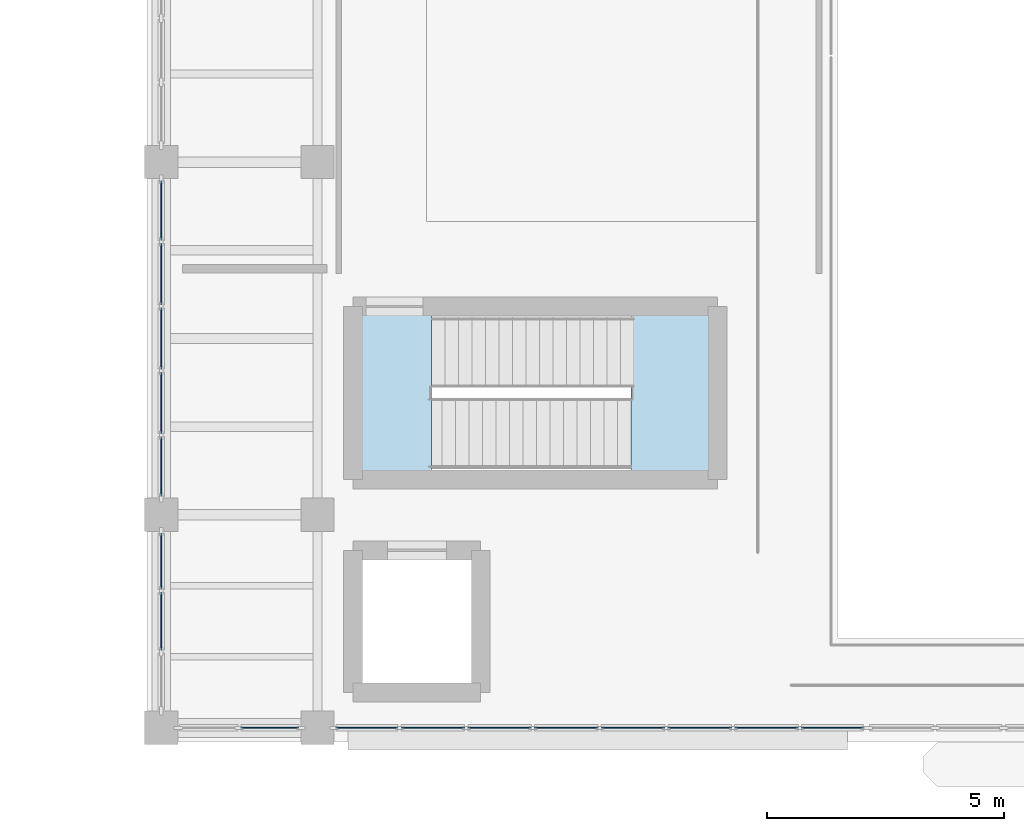
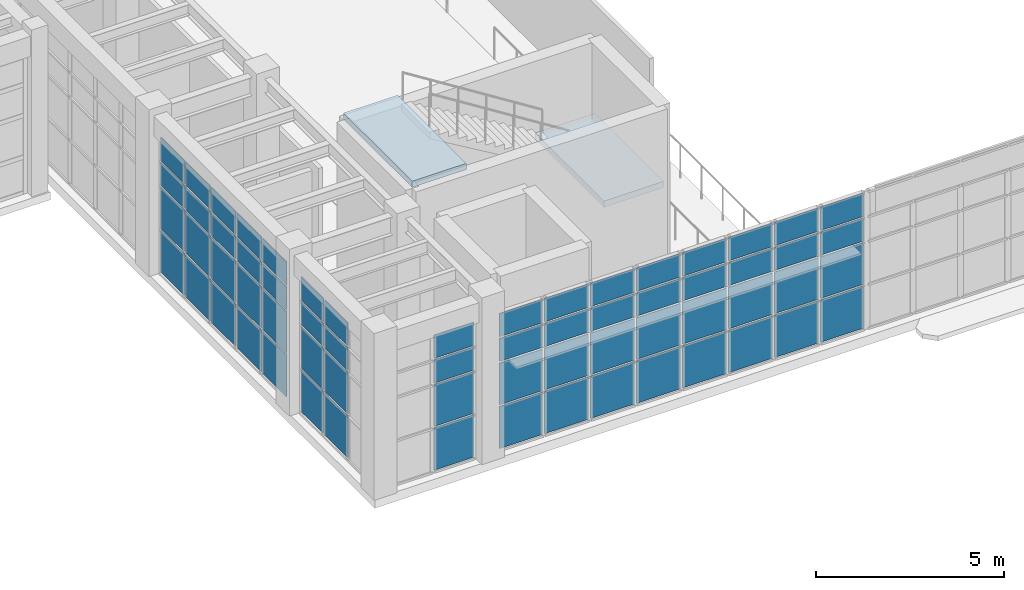
# One storey, part 73 of 103: 64 plates, 2 slabs, 5 elements without a shape of their own.
"""IFC4 building model written with IfcOpenShell, lengths in metres."""

import ifcopenshell
import ifcopenshell.guid

model = None  # the IFC model being written
_history = None  # IfcOwnerHistory: only IFC2X3 demands one
_inside = {}  # id of a spatial element -> (the spatial element, [elements in it])
_under = {}  # id of a project, library or spatial element -> (it, [spatial elements below it])
_declared = {}  # id of a project -> (the project, [libraries it declares])
_typed = {}  # id of a type object -> (the type object, [elements of that type])
_made_of = {}  # id of a material, layer set ... -> (it, [elements and type objects made of it])


def new_model(schema):
    """Start an empty IFC model of exactly this schema.

    Asked for "IFC4X3", IfcOpenShell would pick the latest addendum, in which some entities
    have other attributes; the version numbers below select the first issue.
    IFC2X3 requires an IfcOwnerHistory on every rooted entity: one is made here for all.
    """
    global model, _history
    if schema == "IFC4X3":
        model = ifcopenshell.file(schema_version=(4, 3, 0, 0))
    else:
        model = ifcopenshell.file(schema=schema)
    _inside.clear()
    _under.clear()
    _declared.clear()
    _typed.clear()
    _made_of.clear()
    _history = None
    if model.schema == "IFC2X3":
        org = make("IfcOrganization", Name="unknown")
        user = make(
            "IfcPersonAndOrganization",
            ThePerson=make("IfcPerson", FamilyName="unknown"),
            TheOrganization=org,
        )
        app = make(
            "IfcApplication",
            ApplicationDeveloper=org,
            Version="unknown",
            ApplicationFullName="unknown",
            ApplicationIdentifier="unknown",
        )
        _history = make(
            "IfcOwnerHistory",
            OwningUser=user,
            OwningApplication=app,
            ChangeAction="ADDED",
            CreationDate=0,
        )
    return model


def make(cls, **values):
    """One entity of the class cls with the attributes given. An attribute that is None is left unset."""
    return model.create_entity(
        cls, **{name: value for name, value in values.items() if value is not None}
    )


def rooted(cls, **values):
    """An entity with a GlobalId (a new one), such as an element, a storey or a relation."""
    return make(cls, GlobalId=ifcopenshell.guid.new(), OwnerHistory=_history, **values)


def si_unit(unit_type, name, prefix=None):
    """IfcSIUnit, for example si_unit("LENGTHUNIT", "METRE", prefix="MILLI")."""
    return make("IfcSIUnit", UnitType=unit_type, Prefix=prefix, Name=name)


def assignment(units):
    """IfcUnitAssignment: the units of a project."""
    return None if units is None else make("IfcUnitAssignment", Units=units)


def point(xyz):
    """IfcCartesianPoint."""
    return None if xyz is None else make("IfcCartesianPoint", Coordinates=xyz)


def direction(xyz):
    """IfcDirection."""
    return None if xyz is None else make("IfcDirection", DirectionRatios=xyz)


def frame(location, z_axis=None, x_axis=None):
    """IfcAxis2Placement3D, a coordinate frame: its origin and axes. An axis left out is left unset."""
    return make(
        "IfcAxis2Placement3D",
        Location=point(location),
        Axis=direction(z_axis),
        RefDirection=direction(x_axis),
    )


def frame_2d(location, x_axis=None):
    """IfcAxis2Placement2D, a coordinate frame in the plane: its origin and x axis."""
    return make(
        "IfcAxis2Placement2D", Location=point(location), RefDirection=direction(x_axis)
    )


def origin():
    """The frame at (0, 0, 0) with its axes left unset."""
    return frame((0.0, 0.0, 0.0))


def origin_2d():
    """The frame at (0, 0) in the plane with its x axis left unset."""
    return frame_2d((0.0, 0.0))


def place(relative_to, where):
    """IfcLocalPlacement: puts the frame where relative to a parent placement (None: the world)."""
    return make(
        "IfcLocalPlacement", PlacementRelTo=relative_to, RelativePlacement=where
    )


def context(
    kind, dimensions, precision=None, world=None, true_north=None, identifier=None
):
    """IfcGeometricRepresentationContext, for example the 3D "Model" context."""
    return make(
        "IfcGeometricRepresentationContext",
        ContextIdentifier=identifier,
        ContextType=kind,
        CoordinateSpaceDimension=dimensions,
        Precision=precision,
        WorldCoordinateSystem=world,
        TrueNorth=true_north,
    )


def subcontext(parent, identifier, kind, view, scale=None):
    """IfcGeometricRepresentationSubContext, for example "Body" below "Model"."""
    return make(
        "IfcGeometricRepresentationSubContext",
        ContextIdentifier=identifier,
        ContextType=kind,
        ParentContext=parent,
        TargetScale=scale,
        TargetView=view,
    )


def project(units=None, contexts=None):
    """IfcProject with its units and contexts."""
    return rooted(
        "IfcProject",
        Name="project",
        RepresentationContexts=contexts,
        UnitsInContext=assignment(units),
    )


def spatial(cls, under=None, at=None, **own):
    """A site, building, storey or space (cls), placed at a placement, below another one or the project."""
    s = rooted(cls, ObjectPlacement=at, **own)
    if under is not None:
        _under.setdefault(under.id(), (under, []))[1].append(s)
    return s


def polyline(points):
    """IfcPolyline through the points."""
    return make("IfcPolyline", Points=[point(p) for p in points])


def profile(cls, at=None, kind="AREA", **sizes):
    """A parametric profile (cls). Its sizes go by their IFC names, for example OverallWidth=200.0."""
    return make(cls, ProfileType=kind, Position=at, **sizes)


def rectangle(**sizes):
    """IfcRectangleProfileDef."""
    return profile("IfcRectangleProfileDef", **sizes)


def outline(outer, holes=None, kind="AREA"):
    """IfcArbitraryClosedProfileDef: a profile drawn as a closed curve; with holes, ...WithVoids."""
    if holes is None:
        return make("IfcArbitraryClosedProfileDef", ProfileType=kind, OuterCurve=outer)
    return make(
        "IfcArbitraryProfileDefWithVoids",
        ProfileType=kind,
        OuterCurve=outer,
        InnerCurves=holes,
    )


def extrude(swept, where, along, depth):
    """IfcExtrudedAreaSolid: the profile swept, set in the frame where, extruded along a direction by depth."""
    return make(
        "IfcExtrudedAreaSolid",
        SweptArea=swept,
        Position=where,
        ExtrudedDirection=direction(along),
        Depth=depth,
    )


def shape(context_of_items, identifier, shape_type, items):
    """IfcShapeRepresentation: the items that make up one representation, for example the "Body"."""
    return make(
        "IfcShapeRepresentation",
        ContextOfItems=context_of_items,
        RepresentationIdentifier=identifier,
        RepresentationType=shape_type,
        Items=items,
    )


def material(Name=None, Category=None):
    """IfcMaterial."""
    return make("IfcMaterial", Name=Name, Category=Category)


def layer(
    of_material, thickness, ventilated=None, Name=None, Category=None, Priority=None
):
    """IfcMaterialLayer: one layer of a wall or slab, of a material (None: an air gap)."""
    return make(
        "IfcMaterialLayer",
        Material=of_material,
        LayerThickness=thickness,
        IsVentilated=ventilated,
        Name=Name,
        Category=Category,
        Priority=Priority,
    )


def layer_set(layers, Name=None):
    """IfcMaterialLayerSet."""
    return make("IfcMaterialLayerSet", MaterialLayers=layers, LayerSetName=Name)


def made_of(thing, what):
    """Note that an element or type object is made of a material, layer set ...; save() writes the relation."""
    if what is not None:
        _made_of.setdefault(what.id(), (what, []))[1].append(thing)
    return thing


def type_object(cls, material=None, **own):
    """A type object (cls), such as IfcWallType, which elements share."""
    return made_of(rooted(cls, **own), material)


def element(
    cls,
    number,
    at=None,
    inside=None,
    cuts=None,
    type_object=None,
    material=None,
    context=None,
    identifier="Body",
    shape_type=None,
    held_by="IfcProductDefinitionShape",
    body=None,
    shapes=None,
    **own,
):
    """One element of the class cls, such as IfcWall. Its Tag is "e" and its number.

    at: its placement. inside: the storey or other place that contains it. cuts: it is an
    opening in that element (IfcRelVoidsElement). A single representation is given by context,
    identifier, shape_type and body (its items); several are given by shapes. held_by: the class
    of the entity that holds the representations. save() writes the other relations.
    """
    e = rooted(cls, Tag="e%d" % number, ObjectPlacement=at, **own)
    if body is not None:
        shapes = [shape(context, identifier, shape_type, body)]
    if shapes is not None:
        e.Representation = make(held_by, Representations=shapes)
    if inside is not None:
        _inside.setdefault(inside.id(), (inside, []))[1].append(e)
    if cuts is not None:
        rooted(
            "IfcRelVoidsElement", RelatingBuildingElement=cuts, RelatedOpeningElement=e
        )
    if type_object is not None:
        _typed.setdefault(type_object.id(), (type_object, []))[1].append(e)
    return made_of(e, material)


def aggregate(whole, parts):
    """IfcRelAggregates: a whole, such as a stair, and the parts it consists of."""
    return rooted("IfcRelAggregates", RelatingObject=whole, RelatedObjects=parts)


def save(model, path):
    """Write the relations noted so far, then the file.

    IfcRelAggregates (storeys below a building ...), IfcRelContainedInSpatialStructure (elements
    in a storey), IfcRelDefinesByType, IfcRelAssociatesMaterial and IfcRelDeclares: one each for
    every whole, place, type object, material and project.
    """
    for whole, parts in _under.values():
        aggregate(whole, parts)
    for where, things in _inside.values():
        rooted(
            "IfcRelContainedInSpatialStructure",
            RelatedElements=things,
            RelatingStructure=where,
        )
    for kind, things in _typed.values():
        rooted("IfcRelDefinesByType", RelatedObjects=things, RelatingType=kind)
    for what, things in _made_of.values():
        rooted("IfcRelAssociatesMaterial", RelatedObjects=things, RelatingMaterial=what)
    for by, libraries in _declared.values():
        rooted("IfcRelDeclares", RelatingContext=by, RelatedDefinitions=libraries)
    model.write(path)


model = new_model("IFC4")

# Units and contexts
model_context = context("Model", 3, precision=1e-05, world=origin(), true_north=direction((0.0, 1.0)))
body_context = subcontext(model_context, "Body", "Model", "MODEL_VIEW")
ifc_project = project(units=[si_unit("LENGTHUNIT", "METRE"), si_unit("AREAUNIT", "SQUARE_METRE"), si_unit("VOLUMEUNIT", "CUBIC_METRE"), si_unit("PLANEANGLEUNIT", "RADIAN"), si_unit("MASSUNIT", "GRAM", prefix="KILO")], contexts=[model_context])

# Site, building, storey
site_placement = place(None, origin())
site = spatial("IfcSite", under=ifc_project, at=site_placement, CompositionType="ELEMENT")
building_placement = place(site_placement, origin())
building = spatial("IfcBuilding", under=site, at=building_placement, Name="Candilejo Ridge Gondola Terminal", CompositionType="ELEMENT")
storey_placement = place(building_placement, frame((0.0, 0.0, 9.0)))
storey = spatial("IfcBuildingStorey", under=building, at=storey_placement, Name="L02", CompositionType="ELEMENT", Elevation=9.0)

# Curtain wall, plates
ifc_material_1 = material(Name="Anodised aluminium AA 6063-T6", Category="aluminium")
ifc_layer_1 = layer(ifc_material_1, 0.169921875)
ifc_layer_set_1 = layer_set([ifc_layer_1], Name="ARC-CW-HALL-3800-385X449")
curtain_wall_type_1 = type_object("IfcCurtainWallType", Name="ARC-CW-HALL-3800-385X449", PredefinedType="NOTDEFINED", material=ifc_layer_set_1)
curtain_wall_1_placement = place(storey_placement, origin())
curtain_wall_1 = element("IfcCurtainWall", 1, at=curtain_wall_1_placement, inside=storey, type_object=curtain_wall_type_1, Name="Curtain wall V4 L02-132", PredefinedType="NOTDEFINED")
ifc_material_2 = material(Name="Low-E laminated double glazing 6+12A+6+1.52PVB+6 mm", Category="glass")
ifc_layer_2 = layer(ifc_material_2, 0.028076171875)
ifc_layer_set_2 = layer_set([ifc_layer_2], Name="ARC-CW-GLAZ-PANEL")
plate_type = type_object("IfcPlateType", Name="ARC-CW-GLAZ-PANEL", PredefinedType="CURTAIN_PANEL", material=ifc_layer_set_2)
plate_1_placement = place(storey_placement, frame((133.89990234375, 8.550048828125, 0.06005859375), z_axis=(0.0, 0.0, 1.0), x_axis=(0.0, 1.0, 0.0)))
plate_1 = element("IfcPlate", 2, at=plate_1_placement, type_object=plate_type, Name="CW-38X44 panel 2.1", PredefinedType="CURTAIN_PANEL", context=body_context, shape_type="SweptSolid", body=[
    extrude(rectangle(XDim=1.21826171875, YDim=0.028076171875, at=origin_2d()), origin(), (0.0, 0.0, 1.0), 1.360107421875),
])
plate_2_placement = place(storey_placement, frame((133.89990234375, 8.550048828125, 1.47998046875), z_axis=(0.0, 0.0, 1.0), x_axis=(0.0, 1.0, 0.0)))
plate_2 = element("IfcPlate", 3, at=plate_2_placement, type_object=plate_type, Name="CW-38X44 panel 2.2", PredefinedType="CURTAIN_PANEL", context=body_context, shape_type="SweptSolid", body=[
    extrude(rectangle(XDim=1.21826171875, YDim=0.028076171875, at=origin_2d()), origin(), (0.0, 0.0, 1.0), 1.340087890625),
])
plate_3_placement = place(storey_placement, frame((133.89990234375, 8.550048828125, 2.8798828125), z_axis=(0.0, 0.0, 1.0), x_axis=(0.0, 1.0, 0.0)))
plate_3 = element("IfcPlate", 4, at=plate_3_placement, type_object=plate_type, Name="CW-38X44 panel 2.3", PredefinedType="CURTAIN_PANEL", context=body_context, shape_type="SweptSolid", body=[
    extrude(rectangle(XDim=1.21826171875, YDim=0.028076171875, at=origin_2d()), origin(), (0.0, 0.0, 1.0), 0.739990234375),
])
plate_4_placement = place(storey_placement, frame((133.89990234375, 8.550048828125, 3.679931640625), z_axis=(0.0, 0.0, 1.0), x_axis=(0.0, 1.0, 0.0)))
plate_4 = element("IfcPlate", 5, at=plate_4_placement, type_object=plate_type, Name="CW-38X44 panel 2.4", PredefinedType="CURTAIN_PANEL", context=body_context, shape_type="SweptSolid", body=[
    extrude(rectangle(XDim=1.21826171875, YDim=0.028076171875, at=origin_2d()), origin(), (0.0, 0.0, 1.0), 0.75),
])
plate_5_placement = place(storey_placement, frame((133.89990234375, 9.817138671875, 0.06005859375), z_axis=(0.0, 0.0, 1.0), x_axis=(0.0, 1.0, 0.0)))
plate_5 = element("IfcPlate", 6, at=plate_5_placement, type_object=plate_type, Name="CW-38X44 panel 3.1", PredefinedType="CURTAIN_PANEL", context=body_context, shape_type="SweptSolid", body=[
    extrude(rectangle(XDim=1.185791015625, YDim=0.028076171875, at=origin_2d()), origin(), (0.0, 0.0, 1.0), 1.360107421875),
])
plate_6_placement = place(storey_placement, frame((133.89990234375, 9.817138671875, 1.47998046875), z_axis=(0.0, 0.0, 1.0), x_axis=(0.0, 1.0, 0.0)))
plate_6 = element("IfcPlate", 7, at=plate_6_placement, type_object=plate_type, Name="CW-38X44 panel 3.2", PredefinedType="CURTAIN_PANEL", context=body_context, shape_type="SweptSolid", body=[
    extrude(rectangle(XDim=1.185791015625, YDim=0.028076171875, at=origin_2d()), origin(), (0.0, 0.0, 1.0), 1.340087890625),
])
plate_7_placement = place(storey_placement, frame((133.89990234375, 9.817138671875, 2.8798828125), z_axis=(0.0, 0.0, 1.0), x_axis=(0.0, 1.0, 0.0)))
plate_7 = element("IfcPlate", 8, at=plate_7_placement, type_object=plate_type, Name="CW-38X44 panel 3.3", PredefinedType="CURTAIN_PANEL", context=body_context, shape_type="SweptSolid", body=[
    extrude(rectangle(XDim=1.185791015625, YDim=0.028076171875, at=origin_2d()), origin(), (0.0, 0.0, 1.0), 0.739990234375),
])
plate_8_placement = place(storey_placement, frame((133.89990234375, 9.817138671875, 3.679931640625), z_axis=(0.0, 0.0, 1.0), x_axis=(0.0, 1.0, 0.0)))
plate_8 = element("IfcPlate", 9, at=plate_8_placement, type_object=plate_type, Name="CW-38X44 panel 3.4", PredefinedType="CURTAIN_PANEL", context=body_context, shape_type="SweptSolid", body=[
    extrude(rectangle(XDim=1.185791015625, YDim=0.028076171875, at=origin_2d()), origin(), (0.0, 0.0, 1.0), 0.75),
])
aggregate(curtain_wall_1, [plate_1, plate_2, plate_3, plate_4, plate_5, plate_6, plate_7, plate_8])

ifc_material_3 = material(Name="Anodised aluminium AA 6063-T6", Category="aluminium")
ifc_layer_3 = layer(ifc_material_3, 0.169921875)
ifc_layer_set_3 = layer_set([ifc_layer_3], Name="ARC-CW-HALL-3800-680X449")
curtain_wall_type_2 = type_object("IfcCurtainWallType", Name="ARC-CW-HALL-3800-680X449", PredefinedType="NOTDEFINED", material=ifc_layer_set_3)
curtain_wall_2_placement = place(storey_placement, origin())
curtain_wall_2 = element("IfcCurtainWall", 10, at=curtain_wall_2_placement, inside=storey, type_object=curtain_wall_type_2, Name="Curtain wall V4 L02-134", PredefinedType="NOTDEFINED")
plate_9_placement = place(storey_placement, frame((133.89990234375, 11.8212890625, 0.06005859375), z_axis=(0.0, 0.0, 1.0), x_axis=(0.0, 1.0, 0.0)))
plate_9 = element("IfcPlate", 11, at=plate_9_placement, type_object=plate_type, Name="CW-68X44 panel 1.1", PredefinedType="CURTAIN_PANEL", context=body_context, shape_type="SweptSolid", body=[
    extrude(rectangle(XDim=1.262451171875, YDim=0.028076171875, at=origin_2d()), origin(), (0.0, 0.0, 1.0), 1.360107421875),
])
plate_10_placement = place(storey_placement, frame((133.89990234375, 11.8212890625, 1.47998046875), z_axis=(0.0, 0.0, 1.0), x_axis=(0.0, 1.0, 0.0)))
plate_10 = element("IfcPlate", 12, at=plate_10_placement, type_object=plate_type, Name="CW-68X44 panel 1.2", PredefinedType="CURTAIN_PANEL", context=body_context, shape_type="SweptSolid", body=[
    extrude(rectangle(XDim=1.262451171875, YDim=0.028076171875, at=origin_2d()), origin(), (0.0, 0.0, 1.0), 1.340087890625),
])
plate_11_placement = place(storey_placement, frame((133.89990234375, 11.8212890625, 2.8798828125), z_axis=(0.0, 0.0, 1.0), x_axis=(0.0, 1.0, 0.0)))
plate_11 = element("IfcPlate", 13, at=plate_11_placement, type_object=plate_type, Name="CW-68X44 panel 1.3", PredefinedType="CURTAIN_PANEL", context=body_context, shape_type="SweptSolid", body=[
    extrude(rectangle(XDim=1.262451171875, YDim=0.028076171875, at=origin_2d()), origin(), (0.0, 0.0, 1.0), 0.739990234375),
])
plate_12_placement = place(storey_placement, frame((133.89990234375, 11.8212890625, 3.679931640625), z_axis=(0.0, 0.0, 1.0), x_axis=(0.0, 1.0, 0.0)))
plate_12 = element("IfcPlate", 14, at=plate_12_placement, type_object=plate_type, Name="CW-68X44 panel 1.4", PredefinedType="CURTAIN_PANEL", context=body_context, shape_type="SweptSolid", body=[
    extrude(rectangle(XDim=1.262451171875, YDim=0.028076171875, at=origin_2d()), origin(), (0.0, 0.0, 1.0), 0.75),
])
plate_13_placement = place(storey_placement, frame((133.89990234375, 13.1650390625, 0.06005859375), z_axis=(0.0, 0.0, 1.0), x_axis=(0.0, 1.0, 0.0)))
plate_13 = element("IfcPlate", 15, at=plate_13_placement, type_object=plate_type, Name="CW-68X44 panel 2.1", PredefinedType="CURTAIN_PANEL", context=body_context, shape_type="SweptSolid", body=[
    extrude(rectangle(XDim=1.294921875, YDim=0.028076171875, at=origin_2d()), origin(), (0.0, 0.0, 1.0), 1.360107421875),
])
plate_14_placement = place(storey_placement, frame((133.89990234375, 13.1650390625, 1.47998046875), z_axis=(0.0, 0.0, 1.0), x_axis=(0.0, 1.0, 0.0)))
plate_14 = element("IfcPlate", 16, at=plate_14_placement, type_object=plate_type, Name="CW-68X44 panel 2.2", PredefinedType="CURTAIN_PANEL", context=body_context, shape_type="SweptSolid", body=[
    extrude(rectangle(XDim=1.294921875, YDim=0.028076171875, at=origin_2d()), origin(), (0.0, 0.0, 1.0), 1.340087890625),
])
plate_15_placement = place(storey_placement, frame((133.89990234375, 13.1650390625, 2.8798828125), z_axis=(0.0, 0.0, 1.0), x_axis=(0.0, 1.0, 0.0)))
plate_15 = element("IfcPlate", 17, at=plate_15_placement, type_object=plate_type, Name="CW-68X44 panel 2.3", PredefinedType="CURTAIN_PANEL", context=body_context, shape_type="SweptSolid", body=[
    extrude(rectangle(XDim=1.294921875, YDim=0.028076171875, at=origin_2d()), origin(), (0.0, 0.0, 1.0), 0.739990234375),
])
plate_16_placement = place(storey_placement, frame((133.89990234375, 13.1650390625, 3.679931640625), z_axis=(0.0, 0.0, 1.0), x_axis=(0.0, 1.0, 0.0)))
plate_16 = element("IfcPlate", 18, at=plate_16_placement, type_object=plate_type, Name="CW-68X44 panel 2.4", PredefinedType="CURTAIN_PANEL", context=body_context, shape_type="SweptSolid", body=[
    extrude(rectangle(XDim=1.294921875, YDim=0.028076171875, at=origin_2d()), origin(), (0.0, 0.0, 1.0), 0.75),
])
plate_17_placement = place(storey_placement, frame((133.89990234375, 14.52490234375, 0.06005859375), z_axis=(0.0, 0.0, 1.0), x_axis=(0.0, 1.0, 0.0)))
plate_17 = element("IfcPlate", 19, at=plate_17_placement, type_object=plate_type, Name="CW-68X44 panel 3.1", PredefinedType="CURTAIN_PANEL", context=body_context, shape_type="SweptSolid", body=[
    extrude(rectangle(XDim=1.294921875, YDim=0.028076171875, at=origin_2d()), origin(), (0.0, 0.0, 1.0), 1.360107421875),
])
plate_18_placement = place(storey_placement, frame((133.89990234375, 14.52490234375, 1.47998046875), z_axis=(0.0, 0.0, 1.0), x_axis=(0.0, 1.0, 0.0)))
plate_18 = element("IfcPlate", 20, at=plate_18_placement, type_object=plate_type, Name="CW-68X44 panel 3.2", PredefinedType="CURTAIN_PANEL", context=body_context, shape_type="SweptSolid", body=[
    extrude(rectangle(XDim=1.294921875, YDim=0.028076171875, at=origin_2d()), origin(), (0.0, 0.0, 1.0), 1.340087890625),
])
plate_19_placement = place(storey_placement, frame((133.89990234375, 14.52490234375, 2.8798828125), z_axis=(0.0, 0.0, 1.0), x_axis=(0.0, 1.0, 0.0)))
plate_19 = element("IfcPlate", 21, at=plate_19_placement, type_object=plate_type, Name="CW-68X44 panel 3.3", PredefinedType="CURTAIN_PANEL", context=body_context, shape_type="SweptSolid", body=[
    extrude(rectangle(XDim=1.294921875, YDim=0.028076171875, at=origin_2d()), origin(), (0.0, 0.0, 1.0), 0.739990234375),
])
plate_20_placement = place(storey_placement, frame((133.89990234375, 14.52490234375, 3.679931640625), z_axis=(0.0, 0.0, 1.0), x_axis=(0.0, 1.0, 0.0)))
plate_20 = element("IfcPlate", 22, at=plate_20_placement, type_object=plate_type, Name="CW-68X44 panel 3.4", PredefinedType="CURTAIN_PANEL", context=body_context, shape_type="SweptSolid", body=[
    extrude(rectangle(XDim=1.294921875, YDim=0.028076171875, at=origin_2d()), origin(), (0.0, 0.0, 1.0), 0.75),
])
plate_21_placement = place(storey_placement, frame((133.89990234375, 15.885009765625, 0.06005859375), z_axis=(0.0, 0.0, 1.0), x_axis=(0.0, 1.0, 0.0)))
plate_21 = element("IfcPlate", 23, at=plate_21_placement, type_object=plate_type, Name="CW-68X44 panel 4.1", PredefinedType="CURTAIN_PANEL", context=body_context, shape_type="SweptSolid", body=[
    extrude(rectangle(XDim=1.294921875, YDim=0.028076171875, at=origin_2d()), origin(), (0.0, 0.0, 1.0), 1.360107421875),
])
plate_22_placement = place(storey_placement, frame((133.89990234375, 15.885009765625, 1.47998046875), z_axis=(0.0, 0.0, 1.0), x_axis=(0.0, 1.0, 0.0)))
plate_22 = element("IfcPlate", 24, at=plate_22_placement, type_object=plate_type, Name="CW-68X44 panel 4.2", PredefinedType="CURTAIN_PANEL", context=body_context, shape_type="SweptSolid", body=[
    extrude(rectangle(XDim=1.294921875, YDim=0.028076171875, at=origin_2d()), origin(), (0.0, 0.0, 1.0), 1.340087890625),
])
plate_23_placement = place(storey_placement, frame((133.89990234375, 15.885009765625, 2.8798828125), z_axis=(0.0, 0.0, 1.0), x_axis=(0.0, 1.0, 0.0)))
plate_23 = element("IfcPlate", 25, at=plate_23_placement, type_object=plate_type, Name="CW-68X44 panel 4.3", PredefinedType="CURTAIN_PANEL", context=body_context, shape_type="SweptSolid", body=[
    extrude(rectangle(XDim=1.294921875, YDim=0.028076171875, at=origin_2d()), origin(), (0.0, 0.0, 1.0), 0.739990234375),
])
plate_24_placement = place(storey_placement, frame((133.89990234375, 15.885009765625, 3.679931640625), z_axis=(0.0, 0.0, 1.0), x_axis=(0.0, 1.0, 0.0)))
plate_24 = element("IfcPlate", 26, at=plate_24_placement, type_object=plate_type, Name="CW-68X44 panel 4.4", PredefinedType="CURTAIN_PANEL", context=body_context, shape_type="SweptSolid", body=[
    extrude(rectangle(XDim=1.294921875, YDim=0.028076171875, at=origin_2d()), origin(), (0.0, 0.0, 1.0), 0.75),
])
plate_25_placement = place(storey_placement, frame((133.89990234375, 17.228759765625, 0.06005859375), z_axis=(0.0, 0.0, 1.0), x_axis=(0.0, 1.0, 0.0)))
plate_25 = element("IfcPlate", 27, at=plate_25_placement, type_object=plate_type, Name="CW-68X44 panel 5.1", PredefinedType="CURTAIN_PANEL", context=body_context, shape_type="SweptSolid", body=[
    extrude(rectangle(XDim=1.262451171875, YDim=0.028076171875, at=origin_2d()), origin(), (0.0, 0.0, 1.0), 1.360107421875),
])
plate_26_placement = place(storey_placement, frame((133.89990234375, 17.228759765625, 1.47998046875), z_axis=(0.0, 0.0, 1.0), x_axis=(0.0, 1.0, 0.0)))
plate_26 = element("IfcPlate", 28, at=plate_26_placement, type_object=plate_type, Name="CW-68X44 panel 5.2", PredefinedType="CURTAIN_PANEL", context=body_context, shape_type="SweptSolid", body=[
    extrude(rectangle(XDim=1.262451171875, YDim=0.028076171875, at=origin_2d()), origin(), (0.0, 0.0, 1.0), 1.340087890625),
])
plate_27_placement = place(storey_placement, frame((133.89990234375, 17.228759765625, 2.8798828125), z_axis=(0.0, 0.0, 1.0), x_axis=(0.0, 1.0, 0.0)))
plate_27 = element("IfcPlate", 29, at=plate_27_placement, type_object=plate_type, Name="CW-68X44 panel 5.3", PredefinedType="CURTAIN_PANEL", context=body_context, shape_type="SweptSolid", body=[
    extrude(rectangle(XDim=1.262451171875, YDim=0.028076171875, at=origin_2d()), origin(), (0.0, 0.0, 1.0), 0.739990234375),
])
plate_28_placement = place(storey_placement, frame((133.89990234375, 17.228759765625, 3.679931640625), z_axis=(0.0, 0.0, 1.0), x_axis=(0.0, 1.0, 0.0)))
plate_28 = element("IfcPlate", 30, at=plate_28_placement, type_object=plate_type, Name="CW-68X44 panel 5.4", PredefinedType="CURTAIN_PANEL", context=body_context, shape_type="SweptSolid", body=[
    extrude(rectangle(XDim=1.262451171875, YDim=0.028076171875, at=origin_2d()), origin(), (0.0, 0.0, 1.0), 0.75),
])
aggregate(curtain_wall_2, [plate_9, plate_10, plate_11, plate_12, plate_13, plate_14, plate_15, plate_16, plate_17, plate_18, plate_19, plate_20, plate_21, plate_22, plate_23, plate_24, plate_25, plate_26, plate_27, plate_28])

ifc_material_4 = material(Name="Anodised aluminium AA 6063-T6", Category="aluminium")
ifc_layer_4 = layer(ifc_material_4, 0.169921875)
ifc_layer_set_4 = layer_set([ifc_layer_4], Name="ARC-CW-HALL-3800-265X449")
curtain_wall_type_3 = type_object("IfcCurtainWallType", Name="ARC-CW-HALL-3800-265X449", PredefinedType="NOTDEFINED", material=ifc_layer_set_4)
curtain_wall_3_placement = place(storey_placement, origin())
curtain_wall_3 = element("IfcCurtainWall", 31, at=curtain_wall_3_placement, inside=storey, type_object=curtain_wall_type_3, Name="Curtain wall V4 L02-144", PredefinedType="NOTDEFINED")
plate_29_placement = place(storey_placement, frame((136.1962890625, 6.300048828125, 0.06005859375), z_axis=(0.0, 0.0, 1.0), x_axis=(1.0, 0.0, 0.0)))
plate_29 = element("IfcPlate", 32, at=plate_29_placement, type_object=plate_type, Name="CW-26X44 panel 2.1", PredefinedType="CURTAIN_PANEL", context=body_context, shape_type="SweptSolid", body=[
    extrude(rectangle(XDim=1.2275390625, YDim=0.028076171875, at=origin_2d()), origin(), (0.0, 0.0, 1.0), 1.360107421875),
])
plate_30_placement = place(storey_placement, frame((136.1962890625, 6.300048828125, 1.47998046875), z_axis=(0.0, 0.0, 1.0), x_axis=(1.0, 0.0, 0.0)))
plate_30 = element("IfcPlate", 33, at=plate_30_placement, type_object=plate_type, Name="CW-26X44 panel 2.2", PredefinedType="CURTAIN_PANEL", context=body_context, shape_type="SweptSolid", body=[
    extrude(rectangle(XDim=1.2275390625, YDim=0.028076171875, at=origin_2d()), origin(), (0.0, 0.0, 1.0), 1.340087890625),
])
plate_31_placement = place(storey_placement, frame((136.1962890625, 6.300048828125, 2.8798828125), z_axis=(0.0, 0.0, 1.0), x_axis=(1.0, 0.0, 0.0)))
plate_31 = element("IfcPlate", 34, at=plate_31_placement, type_object=plate_type, Name="CW-26X44 panel 2.3", PredefinedType="CURTAIN_PANEL", context=body_context, shape_type="SweptSolid", body=[
    extrude(rectangle(XDim=1.2275390625, YDim=0.028076171875, at=origin_2d()), origin(), (0.0, 0.0, 1.0), 0.739990234375),
])
plate_32_placement = place(storey_placement, frame((136.1962890625, 6.300048828125, 3.679931640625), z_axis=(0.0, 0.0, 1.0), x_axis=(1.0, 0.0, 0.0)))
plate_32 = element("IfcPlate", 35, at=plate_32_placement, type_object=plate_type, Name="CW-26X44 panel 2.4", PredefinedType="CURTAIN_PANEL", context=body_context, shape_type="SweptSolid", body=[
    extrude(rectangle(XDim=1.2275390625, YDim=0.028076171875, at=origin_2d()), origin(), (0.0, 0.0, 1.0), 0.75),
])
aggregate(curtain_wall_3, [plate_29, plate_30, plate_31, plate_32])

ifc_material_5 = material(Name="Anodised aluminium AA 6063-T6", Category="aluminium")
ifc_layer_5 = layer(ifc_material_5, 0.169921875)
ifc_layer_set_5 = layer_set([ifc_layer_5], Name="ARC-CW-HALL-3800-1128X449")
curtain_wall_type_4 = type_object("IfcCurtainWallType", Name="ARC-CW-HALL-3800-1128X449", PredefinedType="NOTDEFINED", material=ifc_layer_set_5)
curtain_wall_4_placement = place(storey_placement, origin())
curtain_wall_4 = element("IfcCurtainWall", 36, at=curtain_wall_4_placement, inside=storey, type_object=curtain_wall_type_4, Name="Curtain wall V4 L02-146", PredefinedType="NOTDEFINED")
plate_33_placement = place(storey_placement, frame((138.245849609375, 6.300048828125, 0.06005859375), z_axis=(0.0, 0.0, 1.0), x_axis=(1.0, 0.0, 0.0)))
plate_33 = element("IfcPlate", 37, at=plate_33_placement, type_object=plate_type, Name="CW-112X44 panel 1.1", PredefinedType="CURTAIN_PANEL", context=body_context, shape_type="SweptSolid", body=[
    extrude(rectangle(XDim=1.311767578125, YDim=0.028076171875, at=origin_2d()), origin(), (0.0, 0.0, 1.0), 1.360107421875),
])
plate_34_placement = place(storey_placement, frame((138.245849609375, 6.300048828125, 1.47998046875), z_axis=(0.0, 0.0, 1.0), x_axis=(1.0, 0.0, 0.0)))
plate_34 = element("IfcPlate", 38, at=plate_34_placement, type_object=plate_type, Name="CW-112X44 panel 1.2", PredefinedType="CURTAIN_PANEL", context=body_context, shape_type="SweptSolid", body=[
    extrude(rectangle(XDim=1.311767578125, YDim=0.028076171875, at=origin_2d()), origin(), (0.0, 0.0, 1.0), 1.340087890625),
])
plate_35_placement = place(storey_placement, frame((138.245849609375, 6.300048828125, 2.8798828125), z_axis=(0.0, 0.0, 1.0), x_axis=(1.0, 0.0, 0.0)))
plate_35 = element("IfcPlate", 39, at=plate_35_placement, type_object=plate_type, Name="CW-112X44 panel 1.3", PredefinedType="CURTAIN_PANEL", context=body_context, shape_type="SweptSolid", body=[
    extrude(rectangle(XDim=1.311767578125, YDim=0.028076171875, at=origin_2d()), origin(), (0.0, 0.0, 1.0), 0.739990234375),
])
plate_36_placement = place(storey_placement, frame((138.245849609375, 6.300048828125, 3.679931640625), z_axis=(0.0, 0.0, 1.0), x_axis=(1.0, 0.0, 0.0)))
plate_36 = element("IfcPlate", 40, at=plate_36_placement, type_object=plate_type, Name="CW-112X44 panel 1.4", PredefinedType="CURTAIN_PANEL", context=body_context, shape_type="SweptSolid", body=[
    extrude(rectangle(XDim=1.311767578125, YDim=0.028076171875, at=origin_2d()), origin(), (0.0, 0.0, 1.0), 0.75),
])
plate_37_placement = place(storey_placement, frame((139.63916015625, 6.300048828125, 0.06005859375), z_axis=(0.0, 0.0, 1.0), x_axis=(1.0, 0.0, 0.0)))
plate_37 = element("IfcPlate", 41, at=plate_37_placement, type_object=plate_type, Name="CW-112X44 panel 2.1", PredefinedType="CURTAIN_PANEL", context=body_context, shape_type="SweptSolid", body=[
    extrude(rectangle(XDim=1.344482421875, YDim=0.028076171875, at=origin_2d()), origin(), (0.0, 0.0, 1.0), 1.360107421875),
])
plate_38_placement = place(storey_placement, frame((139.63916015625, 6.300048828125, 1.47998046875), z_axis=(0.0, 0.0, 1.0), x_axis=(1.0, 0.0, 0.0)))
plate_38 = element("IfcPlate", 42, at=plate_38_placement, type_object=plate_type, Name="CW-112X44 panel 2.2", PredefinedType="CURTAIN_PANEL", context=body_context, shape_type="SweptSolid", body=[
    extrude(rectangle(XDim=1.344482421875, YDim=0.028076171875, at=origin_2d()), origin(), (0.0, 0.0, 1.0), 1.340087890625),
])
plate_39_placement = place(storey_placement, frame((139.63916015625, 6.300048828125, 2.8798828125), z_axis=(0.0, 0.0, 1.0), x_axis=(1.0, 0.0, 0.0)))
plate_39 = element("IfcPlate", 43, at=plate_39_placement, type_object=plate_type, Name="CW-112X44 panel 2.3", PredefinedType="CURTAIN_PANEL", context=body_context, shape_type="SweptSolid", body=[
    extrude(rectangle(XDim=1.344482421875, YDim=0.028076171875, at=origin_2d()), origin(), (0.0, 0.0, 1.0), 0.739990234375),
])
plate_40_placement = place(storey_placement, frame((139.63916015625, 6.300048828125, 3.679931640625), z_axis=(0.0, 0.0, 1.0), x_axis=(1.0, 0.0, 0.0)))
plate_40 = element("IfcPlate", 44, at=plate_40_placement, type_object=plate_type, Name="CW-112X44 panel 2.4", PredefinedType="CURTAIN_PANEL", context=body_context, shape_type="SweptSolid", body=[
    extrude(rectangle(XDim=1.344482421875, YDim=0.028076171875, at=origin_2d()), origin(), (0.0, 0.0, 1.0), 0.75),
])
plate_41_placement = place(storey_placement, frame((141.04833984375, 6.300048828125, 0.06005859375), z_axis=(0.0, 0.0, 1.0), x_axis=(1.0, 0.0, 0.0)))
plate_41 = element("IfcPlate", 45, at=plate_41_placement, type_object=plate_type, Name="CW-112X44 panel 3.1", PredefinedType="CURTAIN_PANEL", context=body_context, shape_type="SweptSolid", body=[
    extrude(rectangle(XDim=1.344482421875, YDim=0.028076171875, at=origin_2d()), origin(), (0.0, 0.0, 1.0), 1.360107421875),
])
plate_42_placement = place(storey_placement, frame((141.04833984375, 6.300048828125, 1.47998046875), z_axis=(0.0, 0.0, 1.0), x_axis=(1.0, 0.0, 0.0)))
plate_42 = element("IfcPlate", 46, at=plate_42_placement, type_object=plate_type, Name="CW-112X44 panel 3.2", PredefinedType="CURTAIN_PANEL", context=body_context, shape_type="SweptSolid", body=[
    extrude(rectangle(XDim=1.344482421875, YDim=0.028076171875, at=origin_2d()), origin(), (0.0, 0.0, 1.0), 1.340087890625),
])
plate_43_placement = place(storey_placement, frame((141.04833984375, 6.300048828125, 2.8798828125), z_axis=(0.0, 0.0, 1.0), x_axis=(1.0, 0.0, 0.0)))
plate_43 = element("IfcPlate", 47, at=plate_43_placement, type_object=plate_type, Name="CW-112X44 panel 3.3", PredefinedType="CURTAIN_PANEL", context=body_context, shape_type="SweptSolid", body=[
    extrude(rectangle(XDim=1.344482421875, YDim=0.028076171875, at=origin_2d()), origin(), (0.0, 0.0, 1.0), 0.739990234375),
])
plate_44_placement = place(storey_placement, frame((141.04833984375, 6.300048828125, 3.679931640625), z_axis=(0.0, 0.0, 1.0), x_axis=(1.0, 0.0, 0.0)))
plate_44 = element("IfcPlate", 48, at=plate_44_placement, type_object=plate_type, Name="CW-112X44 panel 3.4", PredefinedType="CURTAIN_PANEL", context=body_context, shape_type="SweptSolid", body=[
    extrude(rectangle(XDim=1.344482421875, YDim=0.028076171875, at=origin_2d()), origin(), (0.0, 0.0, 1.0), 0.75),
])
plate_45_placement = place(storey_placement, frame((142.457763671875, 6.300048828125, 0.06005859375), z_axis=(0.0, 0.0, 1.0), x_axis=(1.0, 0.0, 0.0)))
plate_45 = element("IfcPlate", 49, at=plate_45_placement, type_object=plate_type, Name="CW-112X44 panel 4.1", PredefinedType="CURTAIN_PANEL", context=body_context, shape_type="SweptSolid", body=[
    extrude(rectangle(XDim=1.344482421875, YDim=0.028076171875, at=origin_2d()), origin(), (0.0, 0.0, 1.0), 1.360107421875),
])
plate_46_placement = place(storey_placement, frame((142.457763671875, 6.300048828125, 1.47998046875), z_axis=(0.0, 0.0, 1.0), x_axis=(1.0, 0.0, 0.0)))
plate_46 = element("IfcPlate", 50, at=plate_46_placement, type_object=plate_type, Name="CW-112X44 panel 4.2", PredefinedType="CURTAIN_PANEL", context=body_context, shape_type="SweptSolid", body=[
    extrude(rectangle(XDim=1.344482421875, YDim=0.028076171875, at=origin_2d()), origin(), (0.0, 0.0, 1.0), 1.340087890625),
])
plate_47_placement = place(storey_placement, frame((142.457763671875, 6.300048828125, 2.8798828125), z_axis=(0.0, 0.0, 1.0), x_axis=(1.0, 0.0, 0.0)))
plate_47 = element("IfcPlate", 51, at=plate_47_placement, type_object=plate_type, Name="CW-112X44 panel 4.3", PredefinedType="CURTAIN_PANEL", context=body_context, shape_type="SweptSolid", body=[
    extrude(rectangle(XDim=1.344482421875, YDim=0.028076171875, at=origin_2d()), origin(), (0.0, 0.0, 1.0), 0.739990234375),
])
plate_48_placement = place(storey_placement, frame((142.457763671875, 6.300048828125, 3.679931640625), z_axis=(0.0, 0.0, 1.0), x_axis=(1.0, 0.0, 0.0)))
plate_48 = element("IfcPlate", 52, at=plate_48_placement, type_object=plate_type, Name="CW-112X44 panel 4.4", PredefinedType="CURTAIN_PANEL", context=body_context, shape_type="SweptSolid", body=[
    extrude(rectangle(XDim=1.344482421875, YDim=0.028076171875, at=origin_2d()), origin(), (0.0, 0.0, 1.0), 0.75),
])
plate_49_placement = place(storey_placement, frame((143.8671875, 6.300048828125, 0.06005859375), z_axis=(0.0, 0.0, 1.0), x_axis=(1.0, 0.0, 0.0)))
plate_49 = element("IfcPlate", 53, at=plate_49_placement, type_object=plate_type, Name="CW-112X44 panel 5.1", PredefinedType="CURTAIN_PANEL", context=body_context, shape_type="SweptSolid", body=[
    extrude(rectangle(XDim=1.344482421875, YDim=0.028076171875, at=origin_2d()), origin(), (0.0, 0.0, 1.0), 1.360107421875),
])
plate_50_placement = place(storey_placement, frame((143.8671875, 6.300048828125, 1.47998046875), z_axis=(0.0, 0.0, 1.0), x_axis=(1.0, 0.0, 0.0)))
plate_50 = element("IfcPlate", 54, at=plate_50_placement, type_object=plate_type, Name="CW-112X44 panel 5.2", PredefinedType="CURTAIN_PANEL", context=body_context, shape_type="SweptSolid", body=[
    extrude(rectangle(XDim=1.344482421875, YDim=0.028076171875, at=origin_2d()), origin(), (0.0, 0.0, 1.0), 1.340087890625),
])
plate_51_placement = place(storey_placement, frame((143.8671875, 6.300048828125, 2.8798828125), z_axis=(0.0, 0.0, 1.0), x_axis=(1.0, 0.0, 0.0)))
plate_51 = element("IfcPlate", 55, at=plate_51_placement, type_object=plate_type, Name="CW-112X44 panel 5.3", PredefinedType="CURTAIN_PANEL", context=body_context, shape_type="SweptSolid", body=[
    extrude(rectangle(XDim=1.344482421875, YDim=0.028076171875, at=origin_2d()), origin(), (0.0, 0.0, 1.0), 0.739990234375),
])
plate_52_placement = place(storey_placement, frame((143.8671875, 6.300048828125, 3.679931640625), z_axis=(0.0, 0.0, 1.0), x_axis=(1.0, 0.0, 0.0)))
plate_52 = element("IfcPlate", 56, at=plate_52_placement, type_object=plate_type, Name="CW-112X44 panel 5.4", PredefinedType="CURTAIN_PANEL", context=body_context, shape_type="SweptSolid", body=[
    extrude(rectangle(XDim=1.344482421875, YDim=0.028076171875, at=origin_2d()), origin(), (0.0, 0.0, 1.0), 0.75),
])
plate_53_placement = place(storey_placement, frame((145.276611328125, 6.300048828125, 0.06005859375), z_axis=(0.0, 0.0, 1.0), x_axis=(1.0, 0.0, 0.0)))
plate_53 = element("IfcPlate", 57, at=plate_53_placement, type_object=plate_type, Name="CW-112X44 panel 6.1", PredefinedType="CURTAIN_PANEL", context=body_context, shape_type="SweptSolid", body=[
    extrude(rectangle(XDim=1.344482421875, YDim=0.028076171875, at=origin_2d()), origin(), (0.0, 0.0, 1.0), 1.360107421875),
])
plate_54_placement = place(storey_placement, frame((145.276611328125, 6.300048828125, 1.47998046875), z_axis=(0.0, 0.0, 1.0), x_axis=(1.0, 0.0, 0.0)))
plate_54 = element("IfcPlate", 58, at=plate_54_placement, type_object=plate_type, Name="CW-112X44 panel 6.2", PredefinedType="CURTAIN_PANEL", context=body_context, shape_type="SweptSolid", body=[
    extrude(rectangle(XDim=1.344482421875, YDim=0.028076171875, at=origin_2d()), origin(), (0.0, 0.0, 1.0), 1.340087890625),
])
plate_55_placement = place(storey_placement, frame((145.276611328125, 6.300048828125, 2.8798828125), z_axis=(0.0, 0.0, 1.0), x_axis=(1.0, 0.0, 0.0)))
plate_55 = element("IfcPlate", 59, at=plate_55_placement, type_object=plate_type, Name="CW-112X44 panel 6.3", PredefinedType="CURTAIN_PANEL", context=body_context, shape_type="SweptSolid", body=[
    extrude(rectangle(XDim=1.344482421875, YDim=0.028076171875, at=origin_2d()), origin(), (0.0, 0.0, 1.0), 0.739990234375),
])
plate_56_placement = place(storey_placement, frame((145.276611328125, 6.300048828125, 3.679931640625), z_axis=(0.0, 0.0, 1.0), x_axis=(1.0, 0.0, 0.0)))
plate_56 = element("IfcPlate", 60, at=plate_56_placement, type_object=plate_type, Name="CW-112X44 panel 6.4", PredefinedType="CURTAIN_PANEL", context=body_context, shape_type="SweptSolid", body=[
    extrude(rectangle(XDim=1.344482421875, YDim=0.028076171875, at=origin_2d()), origin(), (0.0, 0.0, 1.0), 0.75),
])
plate_57_placement = place(storey_placement, frame((146.68603515625, 6.300048828125, 0.06005859375), z_axis=(0.0, 0.0, 1.0), x_axis=(1.0, 0.0, 0.0)))
plate_57 = element("IfcPlate", 61, at=plate_57_placement, type_object=plate_type, Name="CW-112X44 panel 7.1", PredefinedType="CURTAIN_PANEL", context=body_context, shape_type="SweptSolid", body=[
    extrude(rectangle(XDim=1.344482421875, YDim=0.028076171875, at=origin_2d()), origin(), (0.0, 0.0, 1.0), 1.360107421875),
])
plate_58_placement = place(storey_placement, frame((146.68603515625, 6.300048828125, 1.47998046875), z_axis=(0.0, 0.0, 1.0), x_axis=(1.0, 0.0, 0.0)))
plate_58 = element("IfcPlate", 62, at=plate_58_placement, type_object=plate_type, Name="CW-112X44 panel 7.2", PredefinedType="CURTAIN_PANEL", context=body_context, shape_type="SweptSolid", body=[
    extrude(rectangle(XDim=1.344482421875, YDim=0.028076171875, at=origin_2d()), origin(), (0.0, 0.0, 1.0), 1.340087890625),
])
plate_59_placement = place(storey_placement, frame((146.68603515625, 6.300048828125, 2.8798828125), z_axis=(0.0, 0.0, 1.0), x_axis=(1.0, 0.0, 0.0)))
plate_59 = element("IfcPlate", 63, at=plate_59_placement, type_object=plate_type, Name="CW-112X44 panel 7.3", PredefinedType="CURTAIN_PANEL", context=body_context, shape_type="SweptSolid", body=[
    extrude(rectangle(XDim=1.344482421875, YDim=0.028076171875, at=origin_2d()), origin(), (0.0, 0.0, 1.0), 0.739990234375),
])
plate_60_placement = place(storey_placement, frame((146.68603515625, 6.300048828125, 3.679931640625), z_axis=(0.0, 0.0, 1.0), x_axis=(1.0, 0.0, 0.0)))
plate_60 = element("IfcPlate", 64, at=plate_60_placement, type_object=plate_type, Name="CW-112X44 panel 7.4", PredefinedType="CURTAIN_PANEL", context=body_context, shape_type="SweptSolid", body=[
    extrude(rectangle(XDim=1.344482421875, YDim=0.028076171875, at=origin_2d()), origin(), (0.0, 0.0, 1.0), 0.75),
])
plate_61_placement = place(storey_placement, frame((148.0791015625, 6.300048828125, 0.06005859375), z_axis=(0.0, 0.0, 1.0), x_axis=(1.0, 0.0, 0.0)))
plate_61 = element("IfcPlate", 65, at=plate_61_placement, type_object=plate_type, Name="CW-112X44 panel 8.1", PredefinedType="CURTAIN_PANEL", context=body_context, shape_type="SweptSolid", body=[
    extrude(rectangle(XDim=1.311767578125, YDim=0.028076171875, at=origin_2d()), origin(), (0.0, 0.0, 1.0), 1.360107421875),
])
plate_62_placement = place(storey_placement, frame((148.0791015625, 6.300048828125, 1.47998046875), z_axis=(0.0, 0.0, 1.0), x_axis=(1.0, 0.0, 0.0)))
plate_62 = element("IfcPlate", 66, at=plate_62_placement, type_object=plate_type, Name="CW-112X44 panel 8.2", PredefinedType="CURTAIN_PANEL", context=body_context, shape_type="SweptSolid", body=[
    extrude(rectangle(XDim=1.311767578125, YDim=0.028076171875, at=origin_2d()), origin(), (0.0, 0.0, 1.0), 1.340087890625),
])
plate_63_placement = place(storey_placement, frame((148.0791015625, 6.300048828125, 2.8798828125), z_axis=(0.0, 0.0, 1.0), x_axis=(1.0, 0.0, 0.0)))
plate_63 = element("IfcPlate", 67, at=plate_63_placement, type_object=plate_type, Name="CW-112X44 panel 8.3", PredefinedType="CURTAIN_PANEL", context=body_context, shape_type="SweptSolid", body=[
    extrude(rectangle(XDim=1.311767578125, YDim=0.028076171875, at=origin_2d()), origin(), (0.0, 0.0, 1.0), 0.739990234375),
])
plate_64_placement = place(storey_placement, frame((148.0791015625, 6.300048828125, 3.679931640625), z_axis=(0.0, 0.0, 1.0), x_axis=(1.0, 0.0, 0.0)))
plate_64 = element("IfcPlate", 68, at=plate_64_placement, type_object=plate_type, Name="CW-112X44 panel 8.4", PredefinedType="CURTAIN_PANEL", context=body_context, shape_type="SweptSolid", body=[
    extrude(rectangle(XDim=1.311767578125, YDim=0.028076171875, at=origin_2d()), origin(), (0.0, 0.0, 1.0), 0.75),
])
aggregate(curtain_wall_4, [plate_33, plate_34, plate_35, plate_36, plate_37, plate_38, plate_39, plate_40, plate_41, plate_42, plate_43, plate_44, plate_45, plate_46, plate_47, plate_48, plate_49, plate_50, plate_51, plate_52, plate_53, plate_54, plate_55, plate_56, plate_57, plate_58, plate_59, plate_60, plate_61, plate_62, plate_63, plate_64])

# Stair, slabs
ifc_material_6 = material(Name="Concrete f'c 35 MPa (C35/45)", Category="concrete")
stair_type = type_object("IfcStairType", Name="STR-STAIR-1500-5400", PredefinedType="HALF_TURN_STAIR", material=ifc_material_6)
stair_placement = place(storey_placement, origin())
stair = element("IfcStair", 69, at=stair_placement, inside=storey, type_object=stair_type, Name="Enclosed fire exit stair ST-V4A-L02", PredefinedType="HALF_TURN_STAIR")
ifc_material_7 = material(Name="Concrete f'c 35 MPa (C35/45)", Category="concrete")
ifc_layer_6 = layer(ifc_material_7, 0.199951171875)
ifc_layer_set_6 = layer_set([ifc_layer_6], Name="STR-STAIR-LANDING-200")
slab_type = type_object("IfcSlabType", Name="STR-STAIR-LANDING-200", PredefinedType="LANDING", material=ifc_layer_set_6)
slab_1_placement = place(storey_placement, frame((0.0, 0.0, 2.5)))
slab_1 = element("IfcSlab", 70, at=slab_1_placement, type_object=slab_type, Name="Stair half-landing ST-V4A-LND-03", PredefinedType="LANDING", context=body_context, shape_type="SweptSolid", body=[
    extrude(outline(polyline([(143.824951171875, 11.550048828125), (145.64990234375, 11.550048828125), (145.64990234375, 15.199951171875), (143.824951171875, 15.199951171875), (143.824951171875, 11.550048828125)])), origin(), (0.0, 0.0, 1.0), 0.199951171875),
])
slab_2_placement = place(storey_placement, frame((0.0, 0.0, 5.199951171875)))
slab_2 = element("IfcSlab", 71, at=slab_2_placement, type_object=slab_type, Name="Stair floor landing ST-V4A-L02-ARR-L03", PredefinedType="LANDING", context=body_context, shape_type="SweptSolid", body=[
    extrude(outline(polyline([(137.949951171875, 11.550048828125), (139.610107421875, 11.550048828125), (139.610107421875, 15.199951171875), (137.949951171875, 15.199951171875), (137.949951171875, 11.550048828125)])), origin(), (0.0, 0.0, 1.0), 0.199951171875),
])
aggregate(stair, [slab_1, slab_2])

save(model, "model.ifc")
